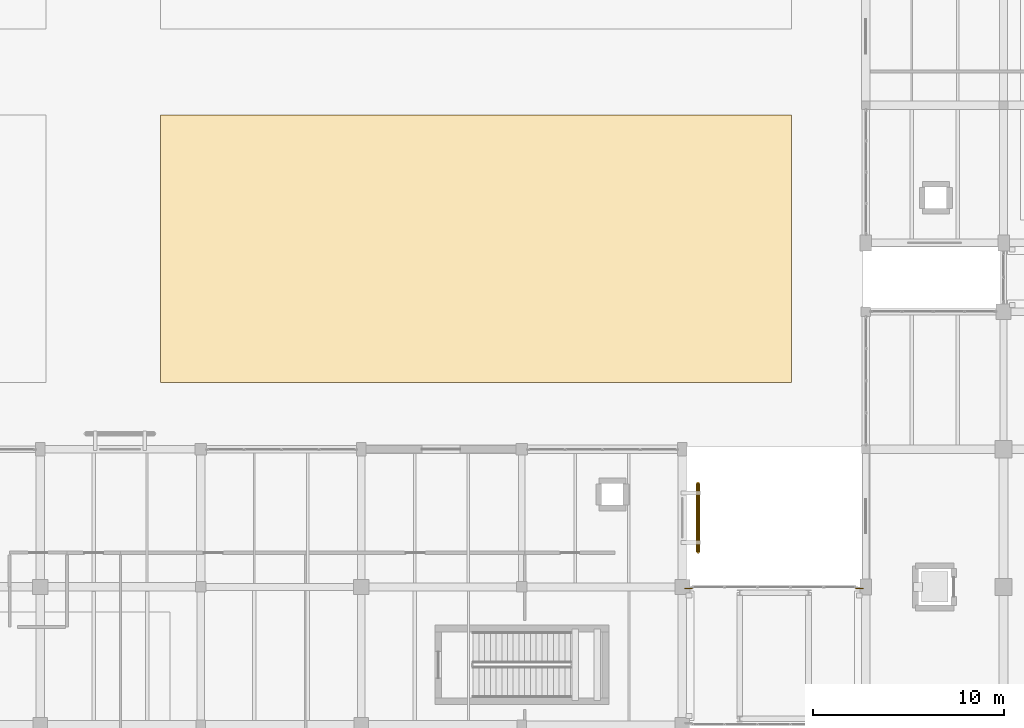
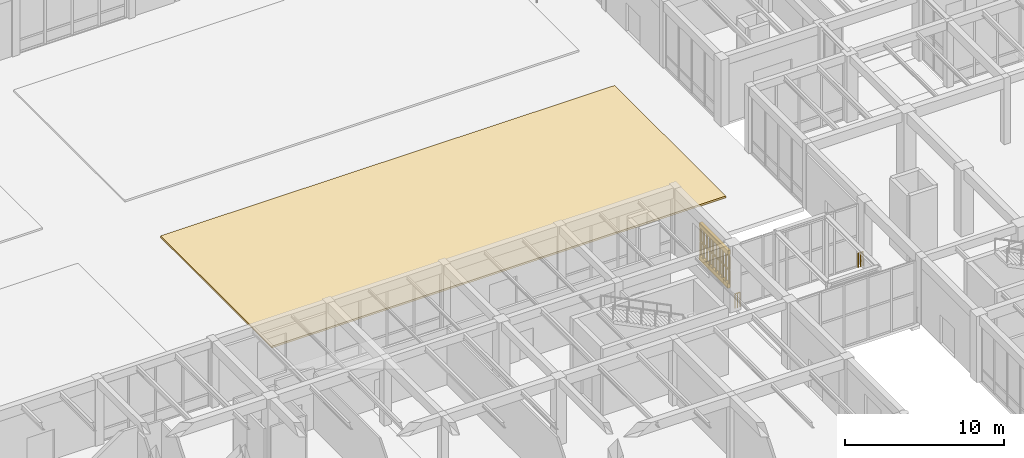
# One storey, part 152 of 169: 4 railings, 3 coverings.
"""IFC4 building model written with IfcOpenShell, lengths in metres."""

import ifcopenshell
import ifcopenshell.guid

model = None  # the IFC model being written
_history = None  # IfcOwnerHistory: only IFC2X3 demands one
_inside = {}  # id of a spatial element -> (the spatial element, [elements in it])
_under = {}  # id of a project, library or spatial element -> (it, [spatial elements below it])
_declared = {}  # id of a project -> (the project, [libraries it declares])
_typed = {}  # id of a type object -> (the type object, [elements of that type])
_made_of = {}  # id of a material, layer set ... -> (it, [elements and type objects made of it])


def new_model(schema):
    """Start an empty IFC model of exactly this schema.

    Asked for "IFC4X3", IfcOpenShell would pick the latest addendum, in which some entities
    have other attributes; the version numbers below select the first issue.
    IFC2X3 requires an IfcOwnerHistory on every rooted entity: one is made here for all.
    """
    global model, _history
    if schema == "IFC4X3":
        model = ifcopenshell.file(schema_version=(4, 3, 0, 0))
    else:
        model = ifcopenshell.file(schema=schema)
    _inside.clear()
    _under.clear()
    _declared.clear()
    _typed.clear()
    _made_of.clear()
    _history = None
    if model.schema == "IFC2X3":
        org = make("IfcOrganization", Name="unknown")
        user = make(
            "IfcPersonAndOrganization",
            ThePerson=make("IfcPerson", FamilyName="unknown"),
            TheOrganization=org,
        )
        app = make(
            "IfcApplication",
            ApplicationDeveloper=org,
            Version="unknown",
            ApplicationFullName="unknown",
            ApplicationIdentifier="unknown",
        )
        _history = make(
            "IfcOwnerHistory",
            OwningUser=user,
            OwningApplication=app,
            ChangeAction="ADDED",
            CreationDate=0,
        )
    return model


def make(cls, **values):
    """One entity of the class cls with the attributes given. An attribute that is None is left unset."""
    return model.create_entity(
        cls, **{name: value for name, value in values.items() if value is not None}
    )


def rooted(cls, **values):
    """An entity with a GlobalId (a new one), such as an element, a storey or a relation."""
    return make(cls, GlobalId=ifcopenshell.guid.new(), OwnerHistory=_history, **values)


def si_unit(unit_type, name, prefix=None):
    """IfcSIUnit, for example si_unit("LENGTHUNIT", "METRE", prefix="MILLI")."""
    return make("IfcSIUnit", UnitType=unit_type, Prefix=prefix, Name=name)


def assignment(units):
    """IfcUnitAssignment: the units of a project."""
    return None if units is None else make("IfcUnitAssignment", Units=units)


def point(xyz):
    """IfcCartesianPoint."""
    return None if xyz is None else make("IfcCartesianPoint", Coordinates=xyz)


def direction(xyz):
    """IfcDirection."""
    return None if xyz is None else make("IfcDirection", DirectionRatios=xyz)


def frame(location, z_axis=None, x_axis=None):
    """IfcAxis2Placement3D, a coordinate frame: its origin and axes. An axis left out is left unset."""
    return make(
        "IfcAxis2Placement3D",
        Location=point(location),
        Axis=direction(z_axis),
        RefDirection=direction(x_axis),
    )


def frame_2d(location, x_axis=None):
    """IfcAxis2Placement2D, a coordinate frame in the plane: its origin and x axis."""
    return make(
        "IfcAxis2Placement2D", Location=point(location), RefDirection=direction(x_axis)
    )


def origin():
    """The frame at (0, 0, 0) with its axes left unset."""
    return frame((0.0, 0.0, 0.0))


def origin_2d():
    """The frame at (0, 0) in the plane with its x axis left unset."""
    return frame_2d((0.0, 0.0))


def place(relative_to, where):
    """IfcLocalPlacement: puts the frame where relative to a parent placement (None: the world)."""
    return make(
        "IfcLocalPlacement", PlacementRelTo=relative_to, RelativePlacement=where
    )


def context(
    kind, dimensions, precision=None, world=None, true_north=None, identifier=None
):
    """IfcGeometricRepresentationContext, for example the 3D "Model" context."""
    return make(
        "IfcGeometricRepresentationContext",
        ContextIdentifier=identifier,
        ContextType=kind,
        CoordinateSpaceDimension=dimensions,
        Precision=precision,
        WorldCoordinateSystem=world,
        TrueNorth=true_north,
    )


def subcontext(parent, identifier, kind, view, scale=None):
    """IfcGeometricRepresentationSubContext, for example "Body" below "Model"."""
    return make(
        "IfcGeometricRepresentationSubContext",
        ContextIdentifier=identifier,
        ContextType=kind,
        ParentContext=parent,
        TargetScale=scale,
        TargetView=view,
    )


def project(units=None, contexts=None):
    """IfcProject with its units and contexts."""
    return rooted(
        "IfcProject",
        Name="project",
        RepresentationContexts=contexts,
        UnitsInContext=assignment(units),
    )


def spatial(cls, under=None, at=None, **own):
    """A site, building, storey or space (cls), placed at a placement, below another one or the project."""
    s = rooted(cls, ObjectPlacement=at, **own)
    if under is not None:
        _under.setdefault(under.id(), (under, []))[1].append(s)
    return s


def polyline(points):
    """IfcPolyline through the points."""
    return make("IfcPolyline", Points=[point(p) for p in points])


def profile(cls, at=None, kind="AREA", **sizes):
    """A parametric profile (cls). Its sizes go by their IFC names, for example OverallWidth=200.0."""
    return make(cls, ProfileType=kind, Position=at, **sizes)


def circle(**sizes):
    """IfcCircleProfileDef."""
    return profile("IfcCircleProfileDef", **sizes)


def outline(outer, holes=None, kind="AREA"):
    """IfcArbitraryClosedProfileDef: a profile drawn as a closed curve; with holes, ...WithVoids."""
    if holes is None:
        return make("IfcArbitraryClosedProfileDef", ProfileType=kind, OuterCurve=outer)
    return make(
        "IfcArbitraryProfileDefWithVoids",
        ProfileType=kind,
        OuterCurve=outer,
        InnerCurves=holes,
    )


def extrude(swept, where, along, depth):
    """IfcExtrudedAreaSolid: the profile swept, set in the frame where, extruded along a direction by depth."""
    return make(
        "IfcExtrudedAreaSolid",
        SweptArea=swept,
        Position=where,
        ExtrudedDirection=direction(along),
        Depth=depth,
    )


def shape(context_of_items, identifier, shape_type, items):
    """IfcShapeRepresentation: the items that make up one representation, for example the "Body"."""
    return make(
        "IfcShapeRepresentation",
        ContextOfItems=context_of_items,
        RepresentationIdentifier=identifier,
        RepresentationType=shape_type,
        Items=items,
    )


def material(Name=None, Category=None):
    """IfcMaterial."""
    return make("IfcMaterial", Name=Name, Category=Category)


def layer(
    of_material, thickness, ventilated=None, Name=None, Category=None, Priority=None
):
    """IfcMaterialLayer: one layer of a wall or slab, of a material (None: an air gap)."""
    return make(
        "IfcMaterialLayer",
        Material=of_material,
        LayerThickness=thickness,
        IsVentilated=ventilated,
        Name=Name,
        Category=Category,
        Priority=Priority,
    )


def layer_set(layers, Name=None):
    """IfcMaterialLayerSet."""
    return make("IfcMaterialLayerSet", MaterialLayers=layers, LayerSetName=Name)


def made_of(thing, what):
    """Note that an element or type object is made of a material, layer set ...; save() writes the relation."""
    if what is not None:
        _made_of.setdefault(what.id(), (what, []))[1].append(thing)
    return thing


def type_object(cls, material=None, **own):
    """A type object (cls), such as IfcWallType, which elements share."""
    return made_of(rooted(cls, **own), material)


def element(
    cls,
    number,
    at=None,
    inside=None,
    cuts=None,
    type_object=None,
    material=None,
    context=None,
    identifier="Body",
    shape_type=None,
    held_by="IfcProductDefinitionShape",
    body=None,
    shapes=None,
    **own,
):
    """One element of the class cls, such as IfcWall. Its Tag is "e" and its number.

    at: its placement. inside: the storey or other place that contains it. cuts: it is an
    opening in that element (IfcRelVoidsElement). A single representation is given by context,
    identifier, shape_type and body (its items); several are given by shapes. held_by: the class
    of the entity that holds the representations. save() writes the other relations.
    """
    e = rooted(cls, Tag="e%d" % number, ObjectPlacement=at, **own)
    if body is not None:
        shapes = [shape(context, identifier, shape_type, body)]
    if shapes is not None:
        e.Representation = make(held_by, Representations=shapes)
    if inside is not None:
        _inside.setdefault(inside.id(), (inside, []))[1].append(e)
    if cuts is not None:
        rooted(
            "IfcRelVoidsElement", RelatingBuildingElement=cuts, RelatedOpeningElement=e
        )
    if type_object is not None:
        _typed.setdefault(type_object.id(), (type_object, []))[1].append(e)
    return made_of(e, material)


def aggregate(whole, parts):
    """IfcRelAggregates: a whole, such as a stair, and the parts it consists of."""
    return rooted("IfcRelAggregates", RelatingObject=whole, RelatedObjects=parts)


def save(model, path):
    """Write the relations noted so far, then the file.

    IfcRelAggregates (storeys below a building ...), IfcRelContainedInSpatialStructure (elements
    in a storey), IfcRelDefinesByType, IfcRelAssociatesMaterial and IfcRelDeclares: one each for
    every whole, place, type object, material and project.
    """
    for whole, parts in _under.values():
        aggregate(whole, parts)
    for where, things in _inside.values():
        rooted(
            "IfcRelContainedInSpatialStructure",
            RelatedElements=things,
            RelatingStructure=where,
        )
    for kind, things in _typed.values():
        rooted("IfcRelDefinesByType", RelatedObjects=things, RelatingType=kind)
    for what, things in _made_of.values():
        rooted("IfcRelAssociatesMaterial", RelatedObjects=things, RelatingMaterial=what)
    for by, libraries in _declared.values():
        rooted("IfcRelDeclares", RelatingContext=by, RelatedDefinitions=libraries)
    model.write(path)


model = new_model("IFC4")

# Units and contexts
model_context = context("Model", 3, precision=1e-05, world=origin(), true_north=direction((0.0, 1.0)))
body_context = subcontext(model_context, "Body", "Model", "MODEL_VIEW")
ifc_project = project(units=[si_unit("LENGTHUNIT", "METRE"), si_unit("AREAUNIT", "SQUARE_METRE"), si_unit("VOLUMEUNIT", "CUBIC_METRE"), si_unit("PLANEANGLEUNIT", "RADIAN"), si_unit("MASSUNIT", "GRAM", prefix="KILO")], contexts=[model_context])

# Site, building, storey
site_placement = place(None, origin())
site = spatial("IfcSite", under=ifc_project, at=site_placement, CompositionType="ELEMENT")
building_placement = place(site_placement, origin())
building = spatial("IfcBuilding", under=site, at=building_placement, Name="Mazaris Harbour Polytechnic", CompositionType="ELEMENT")
storey_placement = place(building_placement, origin())
storey = spatial("IfcBuildingStorey", under=building, at=storey_placement, Name="L00", CompositionType="ELEMENT", Elevation=0.0)

# Railings
ifc_material_1 = material(Name="Steel S355", Category="steel")
railing_type_1 = type_object("IfcRailingType", Name="Mezzanine Steel Guardrail 1100 Exterior", PredefinedType="GUARDRAIL", material=ifc_material_1)
for number, where, name in (
    (1, (112.949951171875, 28.719970703125, 0.0), "PB-E1 L00 Bridge End Guard W1"),
    (2, (121.89990234375, 28.719970703125, 0.0), "PB-E1 L00 Bridge End Guard E1"),
):
    element("IfcRailing", number, at=place(storey_placement, frame(where)), inside=storey, type_object=railing_type_1, Name=name, PredefinedType="GUARDRAIL", context=body_context, shape_type="SweptSolid", body=[
        extrude(circle(Radius=0.02392578125, at=origin_2d()), frame((0.0, 0.0, 1.09619140625), z_axis=(1.0, 0.0, 0.0), x_axis=(0.0, 1.0, 0.0)), (0.0, 0.0, 1.0), 0.35009765625),
        extrude(circle(Radius=0.02099609375, at=origin_2d()), origin(), (0.0, 0.0, 1.0), 1.072021484375),
        extrude(circle(Radius=0.02099609375, at=origin_2d()), frame((0.175048828125, 0.0, 0.0)), (0.0, 0.0, 1.0), 1.072021484375),
        extrude(circle(Radius=0.02099609375, at=origin_2d()), frame((0.35009765625, 0.0, 0.0)), (0.0, 0.0, 1.0), 1.072021484375),
    ])
ifc_material_2 = material(Name="Perforated Earth-Coloured Terracotta Block", Category="masonry")
railing_type_2 = type_object("IfcRailingType", Name="Perforated Earth-Block Claustra Lattice 1040", PredefinedType="BALUSTRADE", material=ifc_material_2)
for number, where, name in (
    (3, (113.6201171875, 34.22509765625, 0.52001953125), "V3 L00 Lower Perforated Terracotta Block Screen 109"),
    (4, (113.6201171875, 34.22509765625, 1.610107421875), "V3 L00 Upper Perforated Terracotta Block Screen 109"),
):
    element("IfcRailing", number, at=place(storey_placement, frame(where)), inside=storey, type_object=railing_type_2, Name=name, PredefinedType="BALUSTRADE", context=body_context, shape_type="SweptSolid", body=[
        extrude(circle(Radius=0.06982421875, at=origin_2d()), frame((0.0, 0.0, 1.02001953125), z_axis=(0.0, -1.0, 0.0), x_axis=(1.0, 0.0, 0.0)), (0.0, 0.0, 1.0), 3.60009765625),
        extrude(circle(Radius=0.074951171875, at=origin_2d()), origin(), (0.0, 0.0, 1.0), 0.9501953125),
        extrude(circle(Radius=0.074951171875, at=origin_2d()), frame((0.0, -0.39990234375, 0.0)), (0.0, 0.0, 1.0), 0.9501953125),
        extrude(circle(Radius=0.074951171875, at=origin_2d()), frame((0.0, -0.800048828125, 0.0)), (0.0, 0.0, 1.0), 0.9501953125),
        extrude(circle(Radius=0.074951171875, at=origin_2d()), frame((0.0, -1.199951171875, 0.0)), (0.0, 0.0, 1.0), 0.9501953125),
        extrude(circle(Radius=0.074951171875, at=origin_2d()), frame((0.0, -1.60009765625, 0.0)), (0.0, 0.0, 1.0), 0.9501953125),
        extrude(circle(Radius=0.074951171875, at=origin_2d()), frame((0.0, -2.0, 0.0)), (0.0, 0.0, 1.0), 0.9501953125),
        extrude(circle(Radius=0.074951171875, at=origin_2d()), frame((0.0, -2.400146484375, 0.0)), (0.0, 0.0, 1.0), 0.9501953125),
        extrude(circle(Radius=0.074951171875, at=origin_2d()), frame((0.0, -2.800048828125, 0.0)), (0.0, 0.0, 1.0), 0.9501953125),
        extrude(circle(Radius=0.074951171875, at=origin_2d()), frame((0.0, -3.2001953125, 0.0)), (0.0, 0.0, 1.0), 0.9501953125),
        extrude(circle(Radius=0.074951171875, at=origin_2d()), frame((0.0, -3.60009765625, 0.0)), (0.0, 0.0, 1.0), 0.9501953125),
    ])

# Coverings
ifc_material_3 = material(Name="Patinated Standing-Seam Zinc")
ifc_layer_1 = layer(ifc_material_3, 0.044921875, Name="Patinated Standing-Seam Zinc")
ifc_layer_set_1 = layer_set([ifc_layer_1], Name="Patinated Standing-Seam Zinc")
covering_type_1 = type_object("IfcCoveringType", Name="Standing-Seam Zinc Roof Covering 45", PredefinedType="ROOFING", material=ifc_layer_set_1)
covering_1_placement = place(storey_placement, origin())
element("IfcCovering", 5, at=covering_1_placement, inside=storey, type_object=covering_type_1, Name="Covering COV-CRT-02", PredefinedType="ROOFING", context=body_context, shape_type="SweptSolid", body=[
    extrude(outline(polyline([(85.5, 39.5), (118.5, 39.5), (118.5, 53.5), (85.5, 53.5), (85.5, 39.5)])), origin(), (0.0, 0.0, 1.0), 0.139892578125),
])
ifc_material_4 = material(Name="Perforated Earth-Coloured Terracotta Block", Category="masonry")
ifc_layer_2 = layer(ifc_material_4, 0.219970703125, Name="Perforated Earth-Coloured Terracotta Block")
ifc_layer_set_2 = layer_set([ifc_layer_2], Name="Perforated Earth-Coloured Terracotta Block")
covering_type_2 = type_object("IfcCoveringType", Name="Terracotta Screen Course Cladding 220", PredefinedType="CLADDING", material=ifc_layer_set_2)
covering_2_placement = place(storey_placement, frame((0.0, 0.0, 0.159912109375)))
element("IfcCovering", 6, at=covering_2_placement, inside=storey, type_object=covering_type_2, Name="V3 L00 Perforated Screen Sill Course 109", PredefinedType="CLADDING", context=body_context, shape_type="SweptSolid", body=[
    extrude(outline(polyline([(113.510009765625, 34.22509765625), (113.510009765625, 30.625), (113.72998046875, 30.625), (113.72998046875, 34.22509765625), (113.510009765625, 34.22509765625)])), origin(), (0.0, 0.0, 1.0), 0.360107421875),
])
covering_3_placement = place(storey_placement, frame((0.0, 0.0, 2.699951171875)))
element("IfcCovering", 7, at=covering_3_placement, inside=storey, type_object=covering_type_2, Name="V3 L00 Perforated Screen Lintel Course 109", PredefinedType="CLADDING", context=body_context, shape_type="SweptSolid", body=[
    extrude(outline(polyline([(113.510009765625, 34.22509765625), (113.510009765625, 30.625), (113.72998046875, 30.625), (113.72998046875, 34.22509765625), (113.510009765625, 34.22509765625)])), origin(), (0.0, 0.0, 1.0), 0.340087890625),
])

save(model, "model.ifc")
